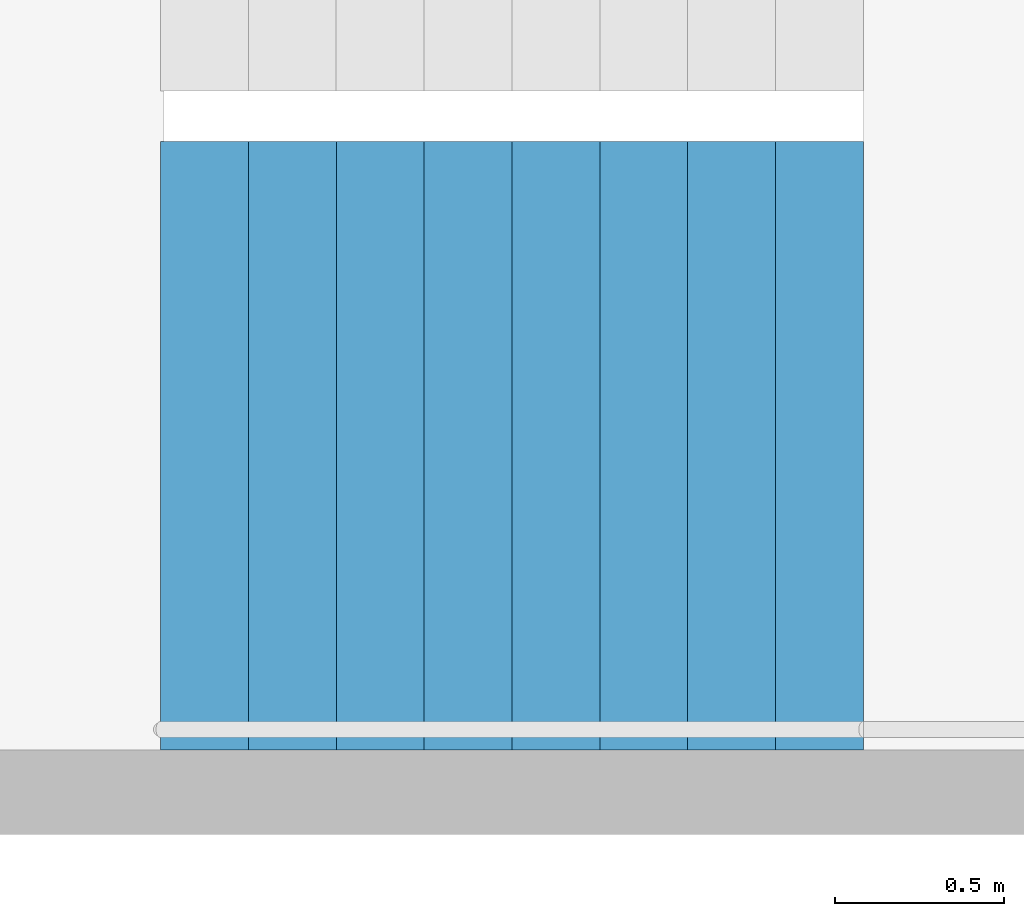
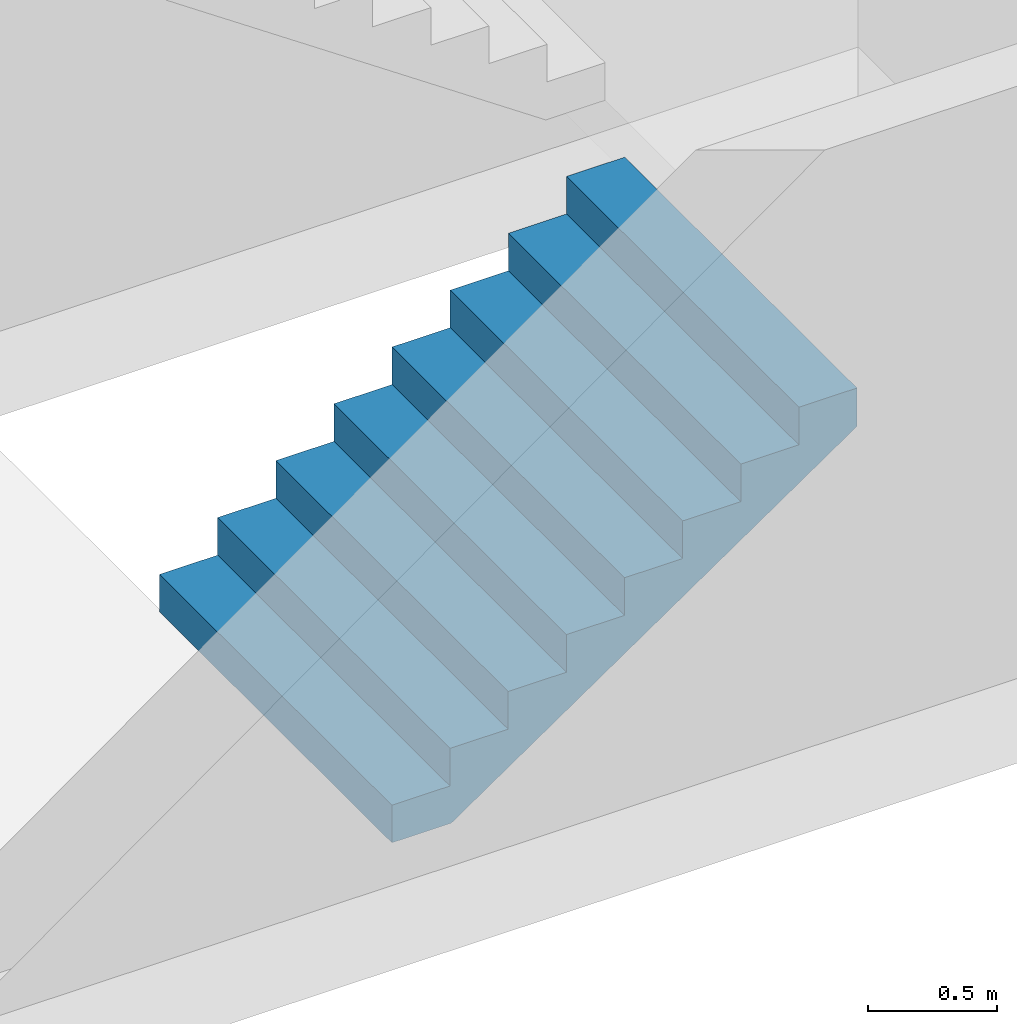
# One storey, part 22 of 28: 1 stair flight, 1 element without a shape of its own.
"""IFC4 building model written with IfcOpenShell, lengths in metres."""

from ifc_helpers import new_model, si_unit, direction, frame, origin, place, context, subcontext, project, spatial, triangles, material, type_object, element, aggregate, save


model = new_model("IFC4")

# Units and contexts
model_context = context("Model", 3, precision=1e-05, world=origin(), true_north=direction((0.0, 1.0)))
body_context = subcontext(model_context, "Body", "Model", "MODEL_VIEW")
ifc_project = project(units=[si_unit("LENGTHUNIT", "METRE"), si_unit("AREAUNIT", "SQUARE_METRE"), si_unit("VOLUMEUNIT", "CUBIC_METRE"), si_unit("PLANEANGLEUNIT", "RADIAN"), si_unit("MASSUNIT", "GRAM", prefix="KILO")], contexts=[model_context])

# Site, building, storey
site_placement = place(None, origin())
site = spatial("IfcSite", under=ifc_project, at=site_placement, CompositionType="ELEMENT")
building_placement = place(site_placement, origin())
building = spatial("IfcBuilding", under=site, at=building_placement, Name="Hakoniwa Tower and Hamabe Station Hall", CompositionType="ELEMENT")
storey_placement = place(building_placement, frame((0.0, 0.0, 35.800048828125)))
storey = spatial("IfcBuildingStorey", under=building, at=storey_placement, Name="L09", CompositionType="ELEMENT", Elevation=35.800048828125)

# Stair, stair flight
ifc_material_1 = material(Name="Concrete C40", Category="concrete")
stair_type = type_object("IfcStairType", Name="ESCAPE STAIR 1800", PredefinedType="HALF_TURN_STAIR", material=ifc_material_1)
stair_placement = place(storey_placement, origin())
stair = element("IfcStair", 1, at=stair_placement, inside=storey, type_object=stair_type, Name="Escape stair ST-1 L09", PredefinedType="HALF_TURN_STAIR")
ifc_material_2 = material(Name="Concrete C40", Category="concrete")
stair_flight_type = type_object("IfcStairFlightType", Name="STAIR FLIGHT 1800", PredefinedType="STRAIGHT", material=ifc_material_2)
stair_flight_placement = place(storey_placement, frame((-24.39990234375, 4.64990234375, 0.0), z_axis=(0.0, 0.0, 1.0), x_axis=(1.0, 0.0, 0.0)))
stair_flight = element("IfcStairFlight", 2, at=stair_flight_placement, type_object=stair_flight_type, Name="ST-1 flight 1", NumberOfRisers=9, NumberOfTreads=8, PredefinedType="STRAIGHT", RiserHeight=0.177777778, TreadLength=0.26, context=body_context, shape_type="Tessellation", body=[
    triangles([(0.0, 0.89990234375, 0.0), (0.260009765625, 0.89990234375, 0.0), (0.265625, 0.89990234375, 0.0), (0.52001953125, 0.89990234375, 0.174072265625), (0.780029296875, 0.89990234375, 0.351806640625), (1.0400390625, 0.89990234375, 0.529541015625), (1.300048828125, 0.89990234375, 0.707275390625), (1.56005859375, 0.89990234375, 0.885009765625), (1.820068359375, 0.89990234375, 1.062744140625), (2.080078125, 0.89990234375, 1.24072265625), (2.080078125, 0.89990234375, 1.422119140625), (1.820068359375, 0.89990234375, 1.422119140625), (1.820068359375, 0.89990234375, 1.244384765625), (1.56005859375, 0.89990234375, 1.244384765625), (1.56005859375, 0.89990234375, 1.066650390625), (1.300048828125, 0.89990234375, 1.066650390625), (1.300048828125, 0.89990234375, 0.888916015625), (1.0400390625, 0.89990234375, 0.888916015625), (1.0400390625, 0.89990234375, 0.711181640625), (0.780029296875, 0.89990234375, 0.711181640625), (0.780029296875, 0.89990234375, 0.533447265625), (0.52001953125, 0.89990234375, 0.533447265625), (0.52001953125, 0.89990234375, 0.35546875), (0.265625, 0.89990234375, 0.35546875), (0.260009765625, 0.89990234375, 0.35546875), (0.260009765625, 0.89990234375, 0.177734375), (0.0, 0.89990234375, 0.177734375), (0.0, 0.06005859375, 0.0), (0.260009765625, 0.06005859375, 0.0), (0.265625, 0.06005859375, 0.0), (0.52001953125, 0.06005859375, 0.174072265625), (0.780029296875, 0.06005859375, 0.351806640625), (1.0400390625, 0.06005859375, 0.529541015625), (1.300048828125, 0.06005859375, 0.707275390625), (1.56005859375, 0.06005859375, 0.885009765625), (1.820068359375, 0.06005859375, 1.062744140625), (2.080078125, 0.06005859375, 1.24072265625), (2.080078125, 0.06005859375, 1.422119140625), (1.820068359375, 0.06005859375, 1.422119140625), (1.820068359375, 0.06005859375, 1.244384765625), (1.56005859375, 0.06005859375, 1.244384765625), (1.56005859375, 0.06005859375, 1.066650390625), (1.300048828125, 0.06005859375, 1.066650390625), (1.300048828125, 0.06005859375, 0.888916015625), (1.0400390625, 0.06005859375, 0.888916015625), (1.0400390625, 0.06005859375, 0.711181640625), (0.780029296875, 0.06005859375, 0.711181640625), (0.780029296875, 0.06005859375, 0.533447265625), (0.52001953125, 0.06005859375, 0.533447265625), (0.52001953125, 0.06005859375, 0.35546875), (0.265625, 0.06005859375, 0.35546875), (0.260009765625, 0.06005859375, 0.35546875), (0.260009765625, 0.06005859375, 0.177734375), (0.0, 0.06005859375, 0.177734375), (0.0, 0.04296875, 0.0), (0.260009765625, 0.04296875, 0.0), (0.265625, 0.04296875, 0.0), (0.52001953125, 0.04296875, 0.174072265625), (0.780029296875, 0.04296875, 0.351806640625), (1.0400390625, 0.04296875, 0.529541015625), (1.300048828125, 0.04296875, 0.707275390625), (1.56005859375, 0.04296875, 0.885009765625), (1.820068359375, 0.04296875, 1.062744140625), (2.080078125, 0.04296875, 1.24072265625), (2.080078125, 0.04296875, 1.422119140625), (1.820068359375, 0.04296875, 1.422119140625), (1.820068359375, 0.04296875, 1.244384765625), (1.56005859375, 0.04296875, 1.244384765625), (1.56005859375, 0.04296875, 1.066650390625), (1.300048828125, 0.04296875, 1.066650390625), (1.300048828125, 0.04296875, 0.888916015625), (1.0400390625, 0.04296875, 0.888916015625), (1.0400390625, 0.04296875, 0.711181640625), (0.780029296875, 0.04296875, 0.711181640625), (0.780029296875, 0.04296875, 0.533447265625), (0.52001953125, 0.04296875, 0.533447265625), (0.52001953125, 0.04296875, 0.35546875), (0.265625, 0.04296875, 0.35546875), (0.260009765625, 0.04296875, 0.35546875), (0.260009765625, 0.04296875, 0.177734375), (0.0, 0.04296875, 0.177734375), (0.0, 0.025634765625, 0.0), (0.260009765625, 0.025634765625, 0.0), (0.265625, 0.025634765625, 0.0), (0.52001953125, 0.025634765625, 0.174072265625), (0.780029296875, 0.025634765625, 0.351806640625), (1.0400390625, 0.025634765625, 0.529541015625), (1.300048828125, 0.025634765625, 0.707275390625), (1.56005859375, 0.025634765625, 0.885009765625), (1.820068359375, 0.025634765625, 1.062744140625), (2.080078125, 0.025634765625, 1.24072265625), (2.080078125, 0.025634765625, 1.422119140625), (1.820068359375, 0.025634765625, 1.422119140625), (1.820068359375, 0.025634765625, 1.244384765625), (1.56005859375, 0.025634765625, 1.244384765625), (1.56005859375, 0.025634765625, 1.066650390625), (1.300048828125, 0.025634765625, 1.066650390625), (1.300048828125, 0.025634765625, 0.888916015625), (1.0400390625, 0.025634765625, 0.888916015625), (1.0400390625, 0.025634765625, 0.711181640625), (0.780029296875, 0.025634765625, 0.711181640625), (0.780029296875, 0.025634765625, 0.533447265625), (0.52001953125, 0.025634765625, 0.533447265625), (0.52001953125, 0.025634765625, 0.35546875), (0.265625, 0.025634765625, 0.35546875), (0.260009765625, 0.025634765625, 0.35546875), (0.260009765625, 0.025634765625, 0.177734375), (0.0, 0.025634765625, 0.177734375), (0.0, 0.008544921875, 0.0), (0.260009765625, 0.008544921875, 0.0), (0.265625, 0.008544921875, 0.0), (0.52001953125, 0.008544921875, 0.174072265625), (0.780029296875, 0.008544921875, 0.351806640625), (1.0400390625, 0.008544921875, 0.529541015625), (1.300048828125, 0.008544921875, 0.707275390625), (1.56005859375, 0.008544921875, 0.885009765625), (1.820068359375, 0.008544921875, 1.062744140625), (2.080078125, 0.008544921875, 1.24072265625), (2.080078125, 0.008544921875, 1.422119140625), (1.820068359375, 0.008544921875, 1.422119140625), (1.820068359375, 0.008544921875, 1.244384765625), (1.56005859375, 0.008544921875, 1.244384765625), (1.56005859375, 0.008544921875, 1.066650390625), (1.300048828125, 0.008544921875, 1.066650390625), (1.300048828125, 0.008544921875, 0.888916015625), (1.0400390625, 0.008544921875, 0.888916015625), (1.0400390625, 0.008544921875, 0.711181640625), (0.780029296875, 0.008544921875, 0.711181640625), (0.780029296875, 0.008544921875, 0.533447265625), (0.52001953125, 0.008544921875, 0.533447265625), (0.52001953125, 0.008544921875, 0.35546875), (0.265625, 0.008544921875, 0.35546875), (0.260009765625, 0.008544921875, 0.35546875), (0.260009765625, 0.008544921875, 0.177734375), (0.0, 0.008544921875, 0.177734375), (0.0, -0.008544921875, 0.0), (0.260009765625, -0.008544921875, 0.0), (0.265625, -0.008544921875, 0.0), (0.52001953125, -0.008544921875, 0.174072265625), (0.780029296875, -0.008544921875, 0.351806640625), (1.0400390625, -0.008544921875, 0.529541015625), (1.300048828125, -0.008544921875, 0.707275390625), (1.56005859375, -0.008544921875, 0.885009765625), (1.820068359375, -0.008544921875, 1.062744140625), (2.080078125, -0.008544921875, 1.24072265625), (2.080078125, -0.008544921875, 1.422119140625), (1.820068359375, -0.008544921875, 1.422119140625), (1.820068359375, -0.008544921875, 1.244384765625), (1.56005859375, -0.008544921875, 1.244384765625), (1.56005859375, -0.008544921875, 1.066650390625), (1.300048828125, -0.008544921875, 1.066650390625), (1.300048828125, -0.008544921875, 0.888916015625), (1.0400390625, -0.008544921875, 0.888916015625), (1.0400390625, -0.008544921875, 0.711181640625), (0.780029296875, -0.008544921875, 0.711181640625), (0.780029296875, -0.008544921875, 0.533447265625), (0.52001953125, -0.008544921875, 0.533447265625), (0.52001953125, -0.008544921875, 0.35546875), (0.265625, -0.008544921875, 0.35546875), (0.260009765625, -0.008544921875, 0.35546875), (0.260009765625, -0.008544921875, 0.177734375), (0.0, -0.008544921875, 0.177734375), (0.0, -0.025634765625, 0.0), (0.260009765625, -0.025634765625, 0.0), (0.265625, -0.025634765625, 0.0), (0.52001953125, -0.025634765625, 0.174072265625), (0.780029296875, -0.025634765625, 0.351806640625), (1.0400390625, -0.025634765625, 0.529541015625), (1.300048828125, -0.025634765625, 0.707275390625), (1.56005859375, -0.025634765625, 0.885009765625), (1.820068359375, -0.025634765625, 1.062744140625), (2.080078125, -0.025634765625, 1.24072265625), (2.080078125, -0.025634765625, 1.422119140625), (1.820068359375, -0.025634765625, 1.422119140625), (1.820068359375, -0.025634765625, 1.244384765625), (1.56005859375, -0.025634765625, 1.244384765625), (1.56005859375, -0.025634765625, 1.066650390625), (1.300048828125, -0.025634765625, 1.066650390625), (1.300048828125, -0.025634765625, 0.888916015625), (1.0400390625, -0.025634765625, 0.888916015625), (1.0400390625, -0.025634765625, 0.711181640625), (0.780029296875, -0.025634765625, 0.711181640625), (0.780029296875, -0.025634765625, 0.533447265625), (0.52001953125, -0.025634765625, 0.533447265625), (0.52001953125, -0.025634765625, 0.35546875), (0.265625, -0.025634765625, 0.35546875), (0.260009765625, -0.025634765625, 0.35546875), (0.260009765625, -0.025634765625, 0.177734375), (0.0, -0.025634765625, 0.177734375), (0.0, -0.04296875, 0.0), (0.260009765625, -0.04296875, 0.0), (0.265625, -0.04296875, 0.0), (0.52001953125, -0.04296875, 0.174072265625), (0.780029296875, -0.04296875, 0.351806640625), (1.0400390625, -0.04296875, 0.529541015625), (1.300048828125, -0.04296875, 0.707275390625), (1.56005859375, -0.04296875, 0.885009765625), (1.820068359375, -0.04296875, 1.062744140625), (2.080078125, -0.04296875, 1.24072265625), (2.080078125, -0.04296875, 1.422119140625), (1.820068359375, -0.04296875, 1.422119140625), (1.820068359375, -0.04296875, 1.244384765625), (1.56005859375, -0.04296875, 1.244384765625), (1.56005859375, -0.04296875, 1.066650390625), (1.300048828125, -0.04296875, 1.066650390625), (1.300048828125, -0.04296875, 0.888916015625), (1.0400390625, -0.04296875, 0.888916015625), (1.0400390625, -0.04296875, 0.711181640625), (0.780029296875, -0.04296875, 0.711181640625), (0.780029296875, -0.04296875, 0.533447265625), (0.52001953125, -0.04296875, 0.533447265625), (0.52001953125, -0.04296875, 0.35546875), (0.265625, -0.04296875, 0.35546875), (0.260009765625, -0.04296875, 0.35546875), (0.260009765625, -0.04296875, 0.177734375), (0.0, -0.04296875, 0.177734375), (0.0, -0.06005859375, 0.0), (0.260009765625, -0.06005859375, 0.0), (0.265625, -0.06005859375, 0.0), (0.52001953125, -0.06005859375, 0.174072265625), (0.780029296875, -0.06005859375, 0.351806640625), (1.0400390625, -0.06005859375, 0.529541015625), (1.300048828125, -0.06005859375, 0.707275390625), (1.56005859375, -0.06005859375, 0.885009765625), (1.820068359375, -0.06005859375, 1.062744140625), (2.080078125, -0.06005859375, 1.24072265625), (2.080078125, -0.06005859375, 1.422119140625), (1.820068359375, -0.06005859375, 1.422119140625), (1.820068359375, -0.06005859375, 1.244384765625), (1.56005859375, -0.06005859375, 1.244384765625), (1.56005859375, -0.06005859375, 1.066650390625), (1.300048828125, -0.06005859375, 1.066650390625), (1.300048828125, -0.06005859375, 0.888916015625), (1.0400390625, -0.06005859375, 0.888916015625), (1.0400390625, -0.06005859375, 0.711181640625), (0.780029296875, -0.06005859375, 0.711181640625), (0.780029296875, -0.06005859375, 0.533447265625), (0.52001953125, -0.06005859375, 0.533447265625), (0.52001953125, -0.06005859375, 0.35546875), (0.265625, -0.06005859375, 0.35546875), (0.260009765625, -0.06005859375, 0.35546875), (0.260009765625, -0.06005859375, 0.177734375), (0.0, -0.06005859375, 0.177734375), (0.0, -0.89990234375, 0.0), (0.260009765625, -0.89990234375, 0.0), (0.265625, -0.89990234375, 0.0), (0.52001953125, -0.89990234375, 0.174072265625), (0.780029296875, -0.89990234375, 0.351806640625), (1.0400390625, -0.89990234375, 0.529541015625), (1.300048828125, -0.89990234375, 0.707275390625), (1.56005859375, -0.89990234375, 0.885009765625), (1.820068359375, -0.89990234375, 1.062744140625), (2.080078125, -0.89990234375, 1.24072265625), (2.080078125, -0.89990234375, 1.422119140625), (1.820068359375, -0.89990234375, 1.422119140625), (1.820068359375, -0.89990234375, 1.244384765625), (1.56005859375, -0.89990234375, 1.244384765625), (1.56005859375, -0.89990234375, 1.066650390625), (1.300048828125, -0.89990234375, 1.066650390625), (1.300048828125, -0.89990234375, 0.888916015625), (1.0400390625, -0.89990234375, 0.888916015625), (1.0400390625, -0.89990234375, 0.711181640625), (0.780029296875, -0.89990234375, 0.711181640625), (0.780029296875, -0.89990234375, 0.533447265625), (0.52001953125, -0.89990234375, 0.533447265625), (0.52001953125, -0.89990234375, 0.35546875), (0.265625, -0.89990234375, 0.35546875), (0.260009765625, -0.89990234375, 0.35546875), (0.260009765625, -0.89990234375, 0.177734375), (0.0, -0.89990234375, 0.177734375)], [[2, 27, 26], [245, 269, 270], [2, 1, 27], [245, 270, 244], [3, 25, 24], [246, 267, 268], [3, 26, 25], [246, 268, 269], [3, 2, 26], [246, 269, 245], [4, 24, 23], [247, 266, 267], [4, 3, 24], [247, 267, 246], [5, 22, 21], [248, 264, 265], [5, 23, 22], [248, 265, 266], [5, 4, 23], [248, 266, 247], [6, 20, 19], [249, 262, 263], [6, 21, 20], [249, 263, 264], [6, 5, 21], [249, 264, 248], [7, 18, 17], [250, 260, 261], [7, 19, 18], [250, 261, 262], [7, 6, 19], [250, 262, 249], [8, 16, 15], [251, 258, 259], [8, 17, 16], [251, 259, 260], [8, 7, 17], [251, 260, 250], [9, 14, 13], [252, 256, 257], [9, 15, 14], [252, 257, 258], [9, 8, 15], [252, 258, 251], [10, 12, 11], [253, 254, 255], [10, 13, 12], [253, 255, 256], [10, 9, 13], [253, 256, 252], [1, 2, 29], [1, 29, 28], [28, 29, 56], [28, 56, 55], [55, 56, 83], [55, 83, 82], [82, 83, 110], [82, 110, 109], [109, 110, 137], [109, 137, 136], [136, 137, 164], [136, 164, 163], [163, 164, 191], [163, 191, 190], [190, 191, 218], [190, 218, 217], [217, 218, 245], [217, 245, 244], [2, 3, 30], [2, 30, 29], [29, 30, 57], [29, 57, 56], [56, 57, 84], [56, 84, 83], [83, 84, 111], [83, 111, 110], [110, 111, 138], [110, 138, 137], [137, 138, 165], [137, 165, 164], [164, 165, 192], [164, 192, 191], [191, 192, 219], [191, 219, 218], [218, 219, 246], [218, 246, 245], [3, 4, 31], [3, 31, 30], [30, 31, 58], [30, 58, 57], [57, 58, 85], [57, 85, 84], [84, 85, 112], [84, 112, 111], [111, 112, 139], [111, 139, 138], [138, 139, 166], [138, 166, 165], [165, 166, 193], [165, 193, 192], [192, 193, 220], [192, 220, 219], [219, 220, 247], [219, 247, 246], [4, 5, 32], [4, 32, 31], [31, 32, 59], [31, 59, 58], [58, 59, 86], [58, 86, 85], [85, 86, 113], [85, 113, 112], [112, 113, 140], [112, 140, 139], [139, 140, 167], [139, 167, 166], [166, 167, 194], [166, 194, 193], [193, 194, 221], [193, 221, 220], [220, 221, 248], [220, 248, 247], [5, 6, 33], [5, 33, 32], [32, 33, 60], [32, 60, 59], [59, 60, 87], [59, 87, 86], [86, 87, 114], [86, 114, 113], [113, 114, 141], [113, 141, 140], [140, 141, 168], [140, 168, 167], [167, 168, 195], [167, 195, 194], [194, 195, 222], [194, 222, 221], [221, 222, 249], [221, 249, 248], [6, 7, 34], [6, 34, 33], [33, 34, 61], [33, 61, 60], [60, 61, 88], [60, 88, 87], [87, 88, 115], [87, 115, 114], [114, 115, 142], [114, 142, 141], [141, 142, 169], [141, 169, 168], [168, 169, 196], [168, 196, 195], [195, 196, 223], [195, 223, 222], [222, 223, 250], [222, 250, 249], [7, 8, 35], [7, 35, 34], [34, 35, 62], [34, 62, 61], [61, 62, 89], [61, 89, 88], [88, 89, 116], [88, 116, 115], [115, 116, 143], [115, 143, 142], [142, 143, 170], [142, 170, 169], [169, 170, 197], [169, 197, 196], [196, 197, 224], [196, 224, 223], [223, 224, 251], [223, 251, 250], [8, 9, 36], [8, 36, 35], [35, 36, 63], [35, 63, 62], [62, 63, 90], [62, 90, 89], [89, 90, 117], [89, 117, 116], [116, 117, 144], [116, 144, 143], [143, 144, 171], [143, 171, 170], [170, 171, 198], [170, 198, 197], [197, 198, 225], [197, 225, 224], [224, 225, 252], [224, 252, 251], [9, 10, 37], [9, 37, 36], [36, 37, 64], [36, 64, 63], [63, 64, 91], [63, 91, 90], [90, 91, 118], [90, 118, 117], [117, 118, 145], [117, 145, 144], [144, 145, 172], [144, 172, 171], [171, 172, 199], [171, 199, 198], [198, 199, 226], [198, 226, 225], [225, 226, 253], [225, 253, 252], [10, 11, 38], [10, 38, 37], [37, 38, 65], [37, 65, 64], [64, 65, 92], [64, 92, 91], [91, 92, 119], [91, 119, 118], [118, 119, 146], [118, 146, 145], [145, 146, 173], [145, 173, 172], [172, 173, 200], [172, 200, 199], [199, 200, 227], [199, 227, 226], [226, 227, 254], [226, 254, 253], [11, 12, 39], [11, 39, 38], [38, 39, 66], [38, 66, 65], [65, 66, 93], [65, 93, 92], [92, 93, 120], [92, 120, 119], [119, 120, 147], [119, 147, 146], [146, 147, 174], [146, 174, 173], [173, 174, 201], [173, 201, 200], [200, 201, 228], [200, 228, 227], [227, 228, 255], [227, 255, 254], [12, 13, 40], [12, 40, 39], [39, 40, 67], [39, 67, 66], [66, 67, 94], [66, 94, 93], [93, 94, 121], [93, 121, 120], [120, 121, 148], [120, 148, 147], [147, 148, 175], [147, 175, 174], [174, 175, 202], [174, 202, 201], [201, 202, 229], [201, 229, 228], [228, 229, 256], [228, 256, 255], [13, 14, 41], [13, 41, 40], [40, 41, 68], [40, 68, 67], [67, 68, 95], [67, 95, 94], [94, 95, 122], [94, 122, 121], [121, 122, 149], [121, 149, 148], [148, 149, 176], [148, 176, 175], [175, 176, 203], [175, 203, 202], [202, 203, 230], [202, 230, 229], [229, 230, 257], [229, 257, 256], [14, 15, 42], [14, 42, 41], [41, 42, 69], [41, 69, 68], [68, 69, 96], [68, 96, 95], [95, 96, 123], [95, 123, 122], [122, 123, 150], [122, 150, 149], [149, 150, 177], [149, 177, 176], [176, 177, 204], [176, 204, 203], [203, 204, 231], [203, 231, 230], [230, 231, 258], [230, 258, 257], [15, 16, 43], [15, 43, 42], [42, 43, 70], [42, 70, 69], [69, 70, 97], [69, 97, 96], [96, 97, 124], [96, 124, 123], [123, 124, 151], [123, 151, 150], [150, 151, 178], [150, 178, 177], [177, 178, 205], [177, 205, 204], [204, 205, 232], [204, 232, 231], [231, 232, 259], [231, 259, 258], [16, 17, 44], [16, 44, 43], [43, 44, 71], [43, 71, 70], [70, 71, 98], [70, 98, 97], [97, 98, 125], [97, 125, 124], [124, 125, 152], [124, 152, 151], [151, 152, 179], [151, 179, 178], [178, 179, 206], [178, 206, 205], [205, 206, 233], [205, 233, 232], [232, 233, 260], [232, 260, 259], [17, 18, 45], [17, 45, 44], [44, 45, 72], [44, 72, 71], [71, 72, 99], [71, 99, 98], [98, 99, 126], [98, 126, 125], [125, 126, 153], [125, 153, 152], [152, 153, 180], [152, 180, 179], [179, 180, 207], [179, 207, 206], [206, 207, 234], [206, 234, 233], [233, 234, 261], [233, 261, 260], [18, 19, 46], [18, 46, 45], [45, 46, 73], [45, 73, 72], [72, 73, 100], [72, 100, 99], [99, 100, 127], [99, 127, 126], [126, 127, 154], [126, 154, 153], [153, 154, 181], [153, 181, 180], [180, 181, 208], [180, 208, 207], [207, 208, 235], [207, 235, 234], [234, 235, 262], [234, 262, 261], [19, 20, 47], [19, 47, 46], [46, 47, 74], [46, 74, 73], [73, 74, 101], [73, 101, 100], [100, 101, 128], [100, 128, 127], [127, 128, 155], [127, 155, 154], [154, 155, 182], [154, 182, 181], [181, 182, 209], [181, 209, 208], [208, 209, 236], [208, 236, 235], [235, 236, 263], [235, 263, 262], [20, 21, 48], [20, 48, 47], [47, 48, 75], [47, 75, 74], [74, 75, 102], [74, 102, 101], [101, 102, 129], [101, 129, 128], [128, 129, 156], [128, 156, 155], [155, 156, 183], [155, 183, 182], [182, 183, 210], [182, 210, 209], [209, 210, 237], [209, 237, 236], [236, 237, 264], [236, 264, 263], [21, 22, 49], [21, 49, 48], [48, 49, 76], [48, 76, 75], [75, 76, 103], [75, 103, 102], [102, 103, 130], [102, 130, 129], [129, 130, 157], [129, 157, 156], [156, 157, 184], [156, 184, 183], [183, 184, 211], [183, 211, 210], [210, 211, 238], [210, 238, 237], [237, 238, 265], [237, 265, 264], [22, 23, 50], [22, 50, 49], [49, 50, 77], [49, 77, 76], [76, 77, 104], [76, 104, 103], [103, 104, 131], [103, 131, 130], [130, 131, 158], [130, 158, 157], [157, 158, 185], [157, 185, 184], [184, 185, 212], [184, 212, 211], [211, 212, 239], [211, 239, 238], [238, 239, 266], [238, 266, 265], [23, 24, 51], [23, 51, 50], [50, 51, 78], [50, 78, 77], [77, 78, 105], [77, 105, 104], [104, 105, 132], [104, 132, 131], [131, 132, 159], [131, 159, 158], [158, 159, 186], [158, 186, 185], [185, 186, 213], [185, 213, 212], [212, 213, 240], [212, 240, 239], [239, 240, 267], [239, 267, 266], [24, 25, 52], [24, 52, 51], [51, 52, 79], [51, 79, 78], [78, 79, 106], [78, 106, 105], [105, 106, 133], [105, 133, 132], [132, 133, 160], [132, 160, 159], [159, 160, 187], [159, 187, 186], [186, 187, 214], [186, 214, 213], [213, 214, 241], [213, 241, 240], [240, 241, 268], [240, 268, 267], [25, 26, 53], [25, 53, 52], [52, 53, 80], [52, 80, 79], [79, 80, 107], [79, 107, 106], [106, 107, 134], [106, 134, 133], [133, 134, 161], [133, 161, 160], [160, 161, 188], [160, 188, 187], [187, 188, 215], [187, 215, 214], [214, 215, 242], [214, 242, 241], [241, 242, 269], [241, 269, 268], [26, 27, 54], [26, 54, 53], [53, 54, 81], [53, 81, 80], [80, 81, 108], [80, 108, 107], [107, 108, 135], [107, 135, 134], [134, 135, 162], [134, 162, 161], [161, 162, 189], [161, 189, 188], [188, 189, 216], [188, 216, 215], [215, 216, 243], [215, 243, 242], [242, 243, 270], [242, 270, 269], [27, 1, 28], [27, 28, 54], [54, 28, 55], [54, 55, 81], [81, 55, 82], [81, 82, 108], [108, 82, 109], [108, 109, 135], [135, 109, 136], [135, 136, 162], [162, 136, 163], [162, 163, 189], [189, 163, 190], [189, 190, 216], [216, 190, 217], [216, 217, 243], [243, 217, 244], [243, 244, 270]], closed=True),
])
aggregate(stair, [stair_flight])

save(model, "model.ifc")
